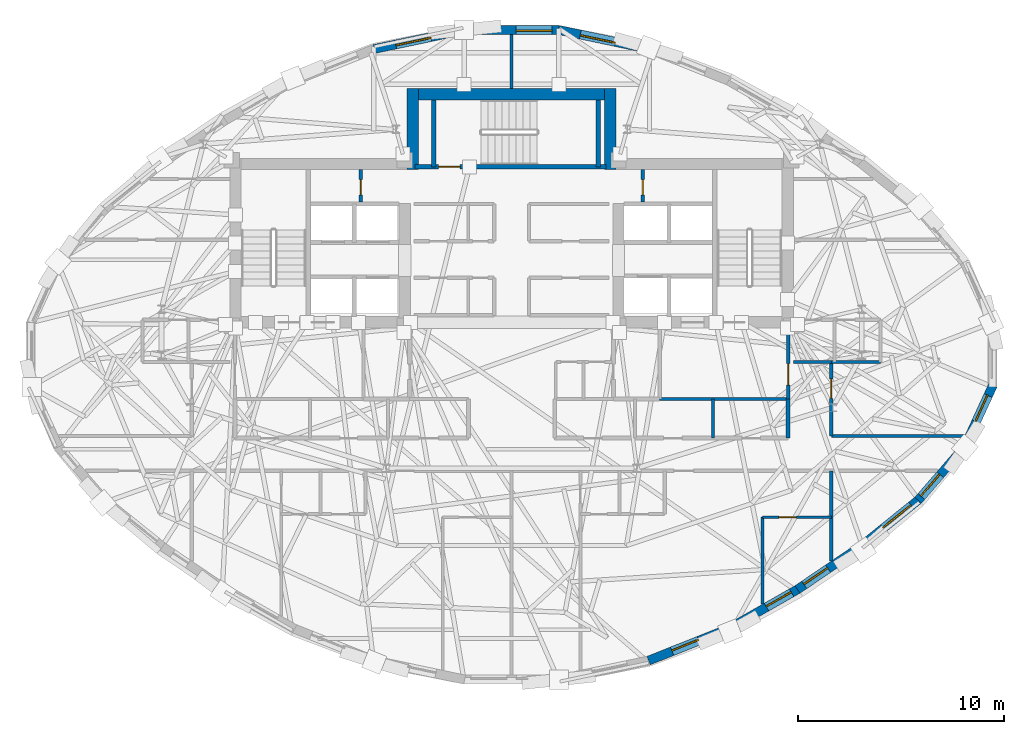
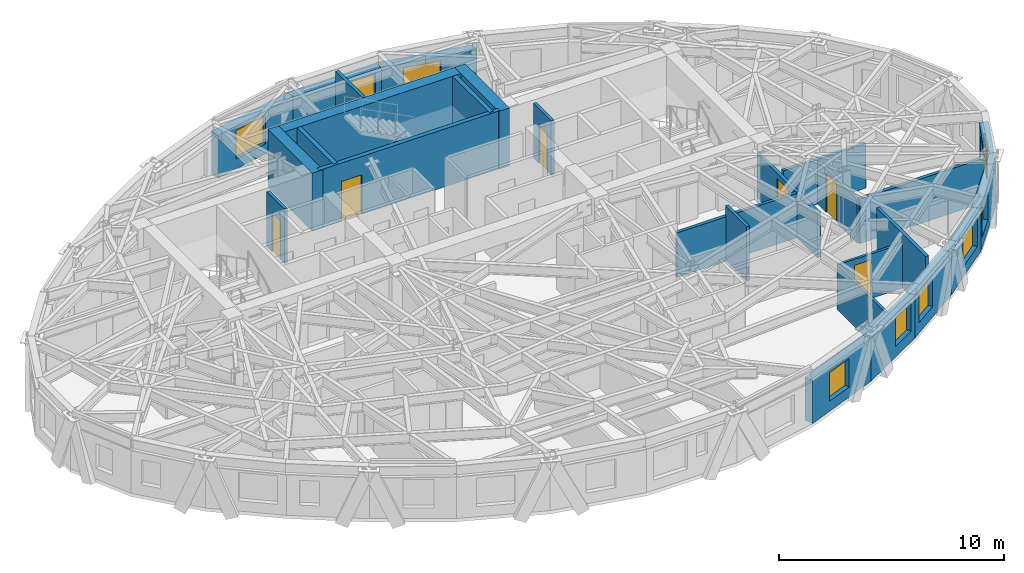
# One storey, part 9 of 14: 29 walls, 9 windows, 6 doors, 15 openings.
"""IFC4 building model written with IfcOpenShell, lengths in metres."""

from ifc_helpers import new_model, si_unit, direction, frame, frame_2d, origin, place, context, subcontext, project, spatial, rectangle, extrude, material, layer, layer_set, type_object, element, fill, save


model = new_model("IFC4")

# Units and contexts
model_context = context("Model", 3, precision=1e-05, world=origin(), true_north=direction((0.0, 1.0)))
body_context = subcontext(model_context, "Body", "Model", "MODEL_VIEW")
ifc_project = project(units=[si_unit("LENGTHUNIT", "METRE"), si_unit("AREAUNIT", "SQUARE_METRE"), si_unit("VOLUMEUNIT", "CUBIC_METRE"), si_unit("PLANEANGLEUNIT", "RADIAN"), si_unit("MASSUNIT", "GRAM", prefix="KILO")], contexts=[model_context])

# Site, building, storey
site_placement = place(None, origin())
site = spatial("IfcSite", under=ifc_project, at=site_placement, CompositionType="ELEMENT")
building_placement = place(site_placement, origin())
building = spatial("IfcBuilding", under=site, at=building_placement, Name="Keldmark Tower", CompositionType="ELEMENT")
storey_placement = place(building_placement, frame((0.0, 0.0, 213.14990234375)))
storey = spatial("IfcBuildingStorey", under=building, at=storey_placement, Name="L59", CompositionType="ELEMENT", Elevation=213.14990234375)

# Walls
ifc_material_1 = material(Name="Heavy Acoustic Plumbing Chase Gypsum Assembly", Category="gypsum")
ifc_layer_1 = layer(ifc_material_1, 0.18994140625)
ifc_layer_set_1 = layer_set([ifc_layer_1], Name="Heavy Acoustic Plumbing Chase Gypsum Assembly")
wall_type_1 = type_object("IfcWallType", Name="Heavy Wet Wall 190 mm", PredefinedType="PLUMBINGWALL", material=ifc_layer_set_1)
wall_1_placement = place(storey_placement, frame((13.449951171875, -4.050048828125, 0.0), z_axis=(0.0, 0.0, 1.0), x_axis=(0.0, 1.0, 0.0)))
element("IfcWall", 1, at=wall_1_placement, inside=storey, type_object=wall_type_1, Name="L59 Heavy Wet Wall 190 mm SPK-E-E", PredefinedType="PLUMBINGWALL", context=body_context, shape_type="SweptSolid", body=[
    extrude(rectangle(XDim=1.900146484375, YDim=0.18994140625, at=frame_2d((0.9501953125, 0.0))), origin(), (0.0, 0.0, 1.0), 2.423095703125),
])
ifc_material_2 = material(Name="Concrete C50/60", Category="concrete")
ifc_layer_2 = layer(ifc_material_2, 0.550048828125)
ifc_layer_set_2 = layer_set([ifc_layer_2], Name="Concrete C50/60")
wall_type_2 = type_object("IfcWallType", Name="High-Rise Core Shear Wall 550 mm", PredefinedType="SHEAR", material=ifc_layer_set_2)
wall_2_placement = place(storey_placement, frame((-5.074951171875, 12.675048828125, 0.0), z_axis=(0.0, 0.0, 1.0), x_axis=(1.0, 0.0, 0.0)))
element("IfcWall", 2, at=wall_2_placement, inside=storey, type_object=wall_type_2, Name="L59 North Core Shear Wall", PredefinedType="SHEAR", context=body_context, shape_type="SweptSolid", body=[
    extrude(rectangle(XDim=10.14990234375, YDim=0.550048828125, at=frame_2d((5.074951171875, 0.0))), origin(), (0.0, 0.0, 1.0), 3.150146484375),
])
for number, where, z_axis, x_axis, name in (
    (3, (-4.800048828125, 9.0, 0.0), (0.0, 0.0, 1.0), (0.0, 1.0, 0.0), "L59 North Core West Shear Wall"),
    (4, (4.800048828125, 9.0, 0.0), (0.0, 0.0, 1.0), (0.0, 1.0, 0.0), "L59 North Core East Shear Wall"),
):
    element("IfcWall", number, at=place(storey_placement, frame(where, z_axis=z_axis, x_axis=x_axis)), inside=storey, type_object=wall_type_2, Name=name, PredefinedType="SHEAR", context=body_context, shape_type="SweptSolid", body=[
        extrude(rectangle(XDim=3.949951171875, YDim=0.550048828125, at=frame_2d((1.97509765625, 0.0))), origin(), (0.0, 0.0, 1.0), 3.150146484375),
    ])
ifc_material_3 = material(Name="Acoustic Gypsum Board Interior Partition", Category="gypsum")
ifc_layer_3 = layer(ifc_material_3, 0.1298828125)
ifc_layer_set_3 = layer_set([ifc_layer_3], Name="Acoustic Gypsum Board Interior Partition")
wall_type_3 = type_object("IfcWallType", Name="Interior Partition 130 mm", PredefinedType="PARTITIONING", material=ifc_layer_set_3)
wall_3_placement = place(storey_placement, frame((12.199951171875, -12.125244140625, 0.0), z_axis=(0.0, 0.0, 1.0), x_axis=(0.0, 1.0, 0.0)))
element("IfcWall", 5, at=wall_3_placement, inside=storey, type_object=wall_type_3, Name="L59 Interior Partition 130 mm UB-BR2-W", PredefinedType="PARTITIONING", context=body_context, shape_type="SweptSolid", body=[
    extrude(rectangle(XDim=4.225341796875, YDim=0.1298828125, at=frame_2d((2.11279296875, 0.0))), origin(), (0.0, 0.0, 1.0), 2.423095703125),
])

# Wall, opening, door
wall_4_placement = place(storey_placement, frame((12.199951171875, -7.89990234375, 0.0), z_axis=(0.0, 0.0, 1.0), x_axis=(1.0, 0.0, 0.0)))
wall_4 = element("IfcWall", 6, at=wall_4_placement, inside=storey, type_object=wall_type_3, Name="L59 Interior Partition 130 mm UB-BR2-N", PredefinedType="PARTITIONING", context=body_context, shape_type="SweptSolid", body=[
    extrude(rectangle(XDim=3.35009765625, YDim=0.1298828125, at=frame_2d((1.675048828125, 0.0))), origin(), (0.0, 0.0, 1.0), 2.423095703125),
])
opening_1_placement = place(wall_4_placement, frame((0.800048828125, 0.0, 0.0)))
opening_1 = element("IfcOpeningElement", 7, at=opening_1_placement, cuts=wall_4, Name="Opening D-BR085", PredefinedType="OPENING", context=body_context, shape_type="SweptSolid", body=[
    extrude(rectangle(XDim=0.85009765625, YDim=2.10009765625, at=frame_2d((0.425048828125, 1.050048828125))), frame((0.0, 0.074951171875, 0.0), z_axis=(0.0, -1.0, 0.0), x_axis=(1.0, 0.0, 0.0)), (0.0, 0.0, 1.0), 0.14990234375),
])
ifc_material_4 = material(Name="Solid-Core Stained Walnut Wood", Category="wood")
door_type_1 = type_object("IfcDoorType", Name="Bedroom Door 850x2100", OperationType="NOTDEFINED", PredefinedType="DOOR", material=ifc_material_4)
door_1_placement = place(opening_1_placement, origin())
door_1 = element("IfcDoor", 8, at=door_1_placement, inside=storey, type_object=door_type_1, Name="L59 Bedroom Door 850x2100 D-UB-BR2-L59", OperationType="SINGLE_SWING_LEFT", OverallHeight=2.10009765625, OverallWidth=0.85009765625, PredefinedType="DOOR", context=body_context, shape_type="SweptSolid", body=[
    extrude(rectangle(XDim=0.85009765625, YDim=2.10009765625, at=frame_2d((0.425048828125, 1.050048828125))), frame((0.0, 0.02490234375, 0.0), z_axis=(0.0, -1.0, 0.0), x_axis=(1.0, 0.0, 0.0)), (0.0, 0.0, 1.0), 0.050048828125),
])
fill(opening_1, door_1)

# Wall
ifc_material_5 = material(Name="Type X Fire-Rated Gypsum Partition Assembly", Category="gypsum")
ifc_layer_4 = layer(ifc_material_5, 0.1650390625)
ifc_layer_set_4 = layer_set([ifc_layer_4], Name="Type X Fire-Rated Gypsum Partition Assembly")
wall_type_4 = type_object("IfcWallType", Name="Rated Partition 165 mm", PredefinedType="PARTITIONING", material=ifc_layer_set_4)
wall_5_placement = place(storey_placement, frame((7.199951171875, -2.14990234375, 0.0), z_axis=(0.0, 0.0, 1.0), x_axis=(1.0, 0.0, 0.0)))
element("IfcWall", 9, at=wall_5_placement, inside=storey, type_object=wall_type_4, Name="L59 Rated Partition 165 mm FSAE-E-S", PredefinedType="PARTITIONING", context=body_context, shape_type="SweptSolid", body=[
    extrude(rectangle(XDim=6.25, YDim=0.1650390625, at=frame_2d((3.125, 0.0))), origin(), (0.0, 0.0, 1.0), 2.423095703125),
])

# Wall, opening, door
wall_6_placement = place(storey_placement, frame((13.449951171875, -2.14990234375, 0.0), z_axis=(0.0, 0.0, 1.0), x_axis=(0.0, 1.0, 0.0)))
wall_6 = element("IfcWall", 10, at=wall_6_placement, inside=storey, type_object=wall_type_4, Name="L59 Rated Partition 165 mm FSAE-E-E", PredefinedType="PARTITIONING", context=body_context, shape_type="SweptSolid", body=[
    extrude(rectangle(XDim=3.5, YDim=0.1650390625, at=frame_2d((1.75, 0.0))), origin(), (0.0, 0.0, 1.0), 2.423095703125),
])
opening_2_placement = place(wall_6_placement, frame((0.669921875, 0.0, 0.0)))
opening_2 = element("IfcOpeningElement", 11, at=opening_2_placement, cuts=wall_6, Name="Opening D-FL105", PredefinedType="OPENING", context=body_context, shape_type="SweptSolid", body=[
    extrude(rectangle(XDim=1.050048828125, YDim=2.14990234375, at=frame_2d((0.52490234375, 1.074951171875))), frame((0.0, 0.092529296875, 0.0), z_axis=(0.0, -1.0, 0.0), x_axis=(1.0, 0.0, 0.0)), (0.0, 0.0, 1.0), 0.18505859375),
])
ifc_material_6 = material(Name="Fire-Rated Mineral-Core Door and Vision Lite", Category="metal")
door_type_2 = type_object("IfcDoorType", Name="Fire Lobby Door 1050x2150", OperationType="NOTDEFINED", PredefinedType="DOOR", material=ifc_material_6)
door_2_placement = place(opening_2_placement, origin())
door_2 = element("IfcDoor", 12, at=door_2_placement, inside=storey, type_object=door_type_2, Name="L59 Fire Lobby Door 1050x2150 D-FSAEE-OUT-L59", OperationType="SINGLE_SWING_RIGHT", OverallHeight=2.14990234375, OverallWidth=1.050048828125, PredefinedType="DOOR", context=body_context, shape_type="SweptSolid", body=[
    extrude(rectangle(XDim=1.050048828125, YDim=2.14990234375, at=frame_2d((0.52490234375, 1.074951171875))), frame((0.0, 0.02490234375, 0.0), z_axis=(0.0, -1.0, 0.0), x_axis=(1.0, 0.0, 0.0)), (0.0, 0.0, 1.0), 0.050048828125),
])
fill(opening_2, door_2)

wall_7_placement = place(storey_placement, frame((-7.330078125, 7.419921875, 0.0), z_axis=(0.0, 0.0, 1.0), x_axis=(0.0, 1.0, 0.0)))
wall_7 = element("IfcWall", 13, at=wall_7_placement, inside=storey, type_object=wall_type_4, Name="L59 Rated Partition 165 mm CS-NW-E", PredefinedType="PARTITIONING", context=body_context, shape_type="SweptSolid", body=[
    extrude(rectangle(XDim=1.580078125, YDim=0.1650390625, at=frame_2d((0.7900390625, 0.0))), origin(), (0.0, 0.0, 1.0), 2.97021484375),
])
opening_3_placement = place(wall_7_placement, frame((0.35009765625, 0.0, 0.0)))
opening_3 = element("IfcOpeningElement", 14, at=opening_3_placement, cuts=wall_7, Name="Opening D-RS075", PredefinedType="OPENING", context=body_context, shape_type="SweptSolid", body=[
    extrude(rectangle(XDim=0.75, YDim=2.10009765625, at=frame_2d((0.375, 1.050048828125))), frame((0.0, 0.092529296875, 0.0), z_axis=(0.0, -1.0, 0.0), x_axis=(1.0, 0.0, 0.0)), (0.0, 0.0, 1.0), 0.18505859375),
])
ifc_material_7 = material(Name="Galvanized Fire-Rated Access Leaf", Category="metal")
door_type_3 = type_object("IfcDoorType", Name="Riser Access Door 750x2100", OperationType="NOTDEFINED", PredefinedType="DOOR", material=ifc_material_7)
door_3_placement = place(opening_3_placement, origin())
door_3 = element("IfcDoor", 15, at=door_3_placement, inside=storey, type_object=door_type_3, Name="L59 Riser Access Door 750x2100 D-CSNW1-L59", OperationType="SINGLE_SWING_RIGHT", OverallHeight=2.10009765625, OverallWidth=0.75, PredefinedType="DOOR", context=body_context, shape_type="SweptSolid", body=[
    extrude(rectangle(XDim=0.75, YDim=2.10009765625, at=frame_2d((0.375, 1.050048828125))), frame((0.0, 0.02490234375, 0.0), z_axis=(0.0, -1.0, 0.0), x_axis=(1.0, 0.0, 0.0)), (0.0, 0.0, 1.0), 0.050048828125),
])
fill(opening_3, door_3)

wall_8_placement = place(storey_placement, frame((6.3798828125, 7.419921875, 0.0), z_axis=(0.0, 0.0, 1.0), x_axis=(0.0, 1.0, 0.0)))
wall_8 = element("IfcWall", 16, at=wall_8_placement, inside=storey, type_object=wall_type_4, Name="L59 Rated Partition 165 mm CS-NE-W", PredefinedType="PARTITIONING", context=body_context, shape_type="SweptSolid", body=[
    extrude(rectangle(XDim=1.580078125, YDim=0.1650390625, at=frame_2d((0.7900390625, 0.0))), origin(), (0.0, 0.0, 1.0), 2.97021484375),
])
opening_4_placement = place(wall_8_placement, frame((0.35009765625, 0.0, 0.0)))
opening_4 = element("IfcOpeningElement", 17, at=opening_4_placement, cuts=wall_8, Name="Opening D-RS075", PredefinedType="OPENING", context=body_context, shape_type="SweptSolid", body=[
    extrude(rectangle(XDim=0.75, YDim=2.10009765625, at=frame_2d((0.375, 1.050048828125))), frame((0.0, 0.092529296875, 0.0), z_axis=(0.0, -1.0, 0.0), x_axis=(1.0, 0.0, 0.0)), (0.0, 0.0, 1.0), 0.18505859375),
])
door_4_placement = place(opening_4_placement, origin())
door_4 = element("IfcDoor", 18, at=door_4_placement, inside=storey, type_object=door_type_3, Name="L59 Riser Access Door 750x2100 D-CSNE1-L59", OperationType="SINGLE_SWING_LEFT", OverallHeight=2.10009765625, OverallWidth=0.75, PredefinedType="DOOR", context=body_context, shape_type="SweptSolid", body=[
    extrude(rectangle(XDim=0.75, YDim=2.10009765625, at=frame_2d((0.375, 1.050048828125))), frame((0.0, 0.02490234375, 0.0), z_axis=(0.0, -1.0, 0.0), x_axis=(1.0, 0.0, 0.0)), (0.0, 0.0, 1.0), 0.050048828125),
])
fill(opening_4, door_4)

# Wall
wall_9_placement = place(storey_placement, frame((15.550048828125, -3.949951171875, 0.0), z_axis=(0.0, 0.0, 1.0), x_axis=(1.0, 0.0, 0.0)))
element("IfcWall", 19, at=wall_9_placement, inside=storey, type_object=wall_type_4, Name="L59 Rated Partition 165 mm RCOR-EN-OUT", PredefinedType="PARTITIONING", context=body_context, shape_type="SweptSolid", body=[
    extrude(rectangle(XDim=6.476318359375, YDim=0.1650390625, at=frame_2d((3.23828125, 0.0))), origin(), (0.0, 0.0, 1.0), 2.423095703125),
])

# Wall, opening, door
wall_10_placement = place(storey_placement, frame((15.550048828125, -3.949951171875, 0.0), z_axis=(0.0, 0.0, 1.0), x_axis=(0.0, 1.0, 0.0)))
wall_10 = element("IfcWall", 20, at=wall_10_placement, inside=storey, type_object=wall_type_4, Name="L59 Rated Partition 165 mm RCOR-VE", PredefinedType="PARTITIONING", context=body_context, shape_type="SweptSolid", body=[
    extrude(rectangle(XDim=3.599853515625, YDim=0.1650390625, at=frame_2d((1.7998046875, 0.0))), origin(), (0.0, 0.0, 1.0), 2.357177734375),
])
opening_5_placement = place(wall_10_placement, frame((1.830078125, 0.0, 0.0)))
opening_5 = element("IfcOpeningElement", 21, at=opening_5_placement, cuts=wall_10, Name="Opening D-AP095", PredefinedType="OPENING", context=body_context, shape_type="SweptSolid", body=[
    extrude(rectangle(XDim=0.949951171875, YDim=2.14990234375, at=frame_2d((0.47509765625, 1.074951171875))), frame((0.0, 0.092529296875, 0.0), z_axis=(0.0, -1.0, 0.0), x_axis=(1.0, 0.0, 0.0)), (0.0, 0.0, 1.0), 0.18505859375),
])
ifc_material_8 = material(Name="Solid-Core Walnut Fire-Rated Entry Assembly", Category="wood")
door_type_4 = type_object("IfcDoorType", Name="Apartment Entry Door 950x2150", OperationType="NOTDEFINED", PredefinedType="DOOR", material=ifc_material_8)
door_5_placement = place(opening_5_placement, origin())
door_5 = element("IfcDoor", 22, at=door_5_placement, inside=storey, type_object=door_type_4, Name="L59 Apartment Entry Door 950x2150 D-UD-ENT-L59", OperationType="SINGLE_SWING_RIGHT", OverallHeight=2.14990234375, OverallWidth=0.949951171875, PredefinedType="DOOR", context=body_context, shape_type="SweptSolid", body=[
    extrude(rectangle(XDim=0.949951171875, YDim=2.14990234375, at=frame_2d((0.47509765625, 1.074951171875))), frame((0.0, 0.02490234375, 0.0), z_axis=(0.0, -1.0, 0.0), x_axis=(1.0, 0.0, 0.0)), (0.0, 0.0, 1.0), 0.050048828125),
])
fill(opening_5, door_5)

# Walls
wall_11_placement = place(storey_placement, frame((13.699951171875, -0.35009765625, 0.0), z_axis=(0.0, 0.0, 1.0), x_axis=(1.0, 0.0, 0.0)))
element("IfcWall", 23, at=wall_11_placement, inside=storey, type_object=wall_type_4, Name="L59 Rated Partition 165 mm RCOR-VEN", PredefinedType="PARTITIONING", context=body_context, shape_type="SweptSolid", body=[
    extrude(rectangle(XDim=1.85009765625, YDim=0.1650390625, at=frame_2d((0.925048828125, 0.0))), origin(), (0.0, 0.0, 1.0), 2.423095703125),
])
wall_12_placement = place(storey_placement, frame((0.0, 12.949951171875, 0.0), z_axis=(0.0, 0.0, 1.0), x_axis=(0.0, 1.0, 0.0)))
element("IfcWall", 24, at=wall_12_placement, inside=storey, type_object=wall_type_4, Name="L59 Rated Partition 165 mm RN-DIV", PredefinedType="PARTITIONING", context=body_context, shape_type="SweptSolid", body=[
    extrude(rectangle(XDim=2.61474609375, YDim=0.1650390625, at=frame_2d((1.307373046875, 0.0))), origin(), (0.0, 0.0, 1.0), 2.97021484375),
])
wall_13_placement = place(storey_placement, frame((15.550048828125, -10.023681640625, 0.0), z_axis=(0.0, 0.0, 1.0), x_axis=(0.0, 1.0, 0.0)))
element("IfcWall", 25, at=wall_13_placement, inside=storey, type_object=wall_type_4, Name="L59 Rated Partition 165 mm RS-ECAP", PredefinedType="PARTITIONING", context=body_context, shape_type="SweptSolid", body=[
    extrude(rectangle(XDim=4.373779296875, YDim=0.1650390625, at=frame_2d((2.18701171875, 0.0))), origin(), (0.0, 0.0, 1.0), 2.97021484375),
])

# Wall, opening, door
ifc_material_9 = material(Name="Concrete C50/60", Category="concrete")
ifc_layer_5 = layer(ifc_material_9, 0.219970703125)
ifc_layer_set_5 = layer_set([ifc_layer_5], Name="Concrete C50/60")
wall_type_5 = type_object("IfcWallType", Name="Stair Core Shear Wall 220 mm", PredefinedType="SHEAR", material=ifc_layer_set_5)
wall_14_placement = place(storey_placement, frame((-4.699951171875, 9.139892578125, 0.0), z_axis=(0.0, 0.0, 1.0), x_axis=(1.0, 0.0, 0.0)))
wall_14 = element("IfcWall", 26, at=wall_14_placement, inside=storey, type_object=wall_type_5, Name="L59 Central Stair Core South Shear Wall", PredefinedType="SHEAR", context=body_context, shape_type="SweptSolid", body=[
    extrude(rectangle(XDim=9.300048828125, YDim=0.219970703125, at=frame_2d((4.64990234375, 0.0))), origin(), (0.0, 0.0, 1.0), 3.150146484375),
])
opening_6_placement = place(wall_14_placement, frame((1.14990234375, 0.0, 0.0)))
opening_6 = element("IfcOpeningElement", 27, at=opening_6_placement, cuts=wall_14, Name="Opening D-ST105", PredefinedType="OPENING", context=body_context, shape_type="SweptSolid", body=[
    extrude(rectangle(XDim=1.050048828125, YDim=2.14990234375, at=frame_2d((0.52490234375, 1.074951171875))), frame((0.0, 0.119873046875, 0.0), z_axis=(0.0, -1.0, 0.0), x_axis=(1.0, 0.0, 0.0)), (0.0, 0.0, 1.0), 0.239990234375),
])
ifc_material_10 = material(Name="Hollow Metal Fire-Rated Door Assembly", Category="metal")
door_type_5 = type_object("IfcDoorType", Name="Stair Fire Door 1050x2150", OperationType="NOTDEFINED", PredefinedType="DOOR", material=ifc_material_10)
door_6_placement = place(opening_6_placement, origin())
door_6 = element("IfcDoor", 28, at=door_6_placement, inside=storey, type_object=door_type_5, Name="L59 Stair Fire Door 1050x2150 D-ST3-L59", OperationType="SINGLE_SWING_LEFT", OverallHeight=2.14990234375, OverallWidth=1.050048828125, PredefinedType="DOOR", context=body_context, shape_type="SweptSolid", body=[
    extrude(rectangle(XDim=1.050048828125, YDim=2.14990234375, at=frame_2d((0.52490234375, 1.074951171875))), frame((0.0, 0.02490234375, 0.0), z_axis=(0.0, -1.0, 0.0), x_axis=(1.0, 0.0, 0.0)), (0.0, 0.0, 1.0), 0.050048828125),
])
fill(opening_6, door_6)

# Walls
for number, where, z_axis, x_axis, name in (
    (29, (-3.784912109375, 9.139892578125, 0.0), (0.0, 0.0, 1.0), (0.0, 1.0, 0.0), "L59 Central Stair Core West Shear Wall"),
    (30, (4.215087890625, 9.139892578125, 0.0), (0.0, 0.0, 1.0), (0.0, 1.0, 0.0), "L59 Central Stair Core East Shear Wall"),
):
    element("IfcWall", number, at=place(storey_placement, frame(where, z_axis=z_axis, x_axis=x_axis)), inside=storey, type_object=wall_type_5, Name=name, PredefinedType="SHEAR", context=body_context, shape_type="SweptSolid", body=[
        extrude(rectangle(XDim=3.260009765625, YDim=0.219970703125, at=frame_2d((1.6298828125, 0.0))), origin(), (0.0, 0.0, 1.0), 3.150146484375),
    ])

# Wall, opening, window
ifc_material_11 = material(Name="Ironspot Manganese Brick and Kasota Buff Limestone Spandrel Assembly", Category="masonry")
ifc_layer_6 = layer(ifc_material_11, 0.43994140625)
ifc_layer_set_6 = layer_set([ifc_layer_6], Name="Ironspot Manganese Brick and Kasota Buff Limestone Spandrel Assembly")
wall_type_6 = type_object("IfcWallType", Name="Tower Brick Pier and Spandrel Wall 440 mm", PredefinedType="STANDARD", material=ifc_layer_set_6)
wall_15_placement = place(storey_placement, frame((2.27978515625, 15.797607421875, 0.0), z_axis=(0.0, 0.0, 1.0), x_axis=(0.97840271225, -0.206707843737, 0.0)))
wall_15 = element("IfcWall", 31, at=wall_15_placement, inside=storey, type_object=wall_type_6, Name="L59 Exterior Brick and Spandrel Wall 07", PredefinedType="STANDARD", context=body_context, shape_type="SweptSolid", body=[
    extrude(rectangle(XDim=4.5166015625, YDim=0.43994140625, at=frame_2d((2.25830078125, 0.0))), origin(), (0.0, 0.0, 1.0), 2.336181640625),
])
opening_7_placement = place(wall_15_placement, frame((1.08740234375, 0.0, 0.550048828125)))
opening_7 = element("IfcOpeningElement", 32, at=opening_7_placement, cuts=wall_15, Name="Opening W-05", PredefinedType="OPENING", context=body_context, shape_type="SweptSolid", body=[
    extrude(rectangle(XDim=1.75, YDim=1.550048828125, at=frame_2d((0.875, 0.77490234375))), frame((0.0, 0.22998046875, 0.0), z_axis=(0.0, -1.0, 0.0), x_axis=(1.0, 0.0, 0.0)), (0.0, 0.0, 1.0), 0.4599609375),
])
ifc_material_12 = material(Name="Thermally Broken Anodized Aluminum and Triple Low-E Argon Glazing", Category="aluminium")
window_type_1 = type_object("IfcWindowType", Name="Residential Deep-Set Window 1750x1550", PartitioningType="DOUBLE_PANEL_VERTICAL", PredefinedType="WINDOW", material=ifc_material_12)
window_1_placement = place(opening_7_placement, origin())
window_1 = element("IfcWindow", 33, at=window_1_placement, inside=storey, type_object=window_type_1, Name="L59 Deep-Set Window 07", OverallHeight=1.550048828125, OverallWidth=1.75, PartitioningType="SINGLE_PANEL", PredefinedType="WINDOW", context=body_context, shape_type="SweptSolid", body=[
    extrude(rectangle(XDim=1.75, YDim=1.550048828125, at=frame_2d((0.875, 0.77490234375))), frame((0.0, -0.010009765625, 0.0), z_axis=(0.0, -1.0, 0.0), x_axis=(1.0, 0.0, 0.0)), (0.0, 0.0, 1.0), 0.06005859375),
])
fill(opening_7, window_1)

wall_16_placement = place(storey_placement, frame((-2.3251953125, 15.792724609375, 0.0), z_axis=(0.0, 0.0, 1.0), x_axis=(1.0, 0.0, 0.0)))
wall_16 = element("IfcWall", 34, at=wall_16_placement, inside=storey, type_object=wall_type_6, Name="L59 Exterior Brick and Spandrel Wall 08", PredefinedType="STANDARD", context=body_context, shape_type="SweptSolid", body=[
    extrude(rectangle(XDim=4.650390625, YDim=0.43994140625, at=frame_2d((2.3251953125, 0.0))), origin(), (0.0, 0.0, 1.0), 2.336181640625),
])
opening_8_placement = place(wall_16_placement, frame((2.553466796875, 0.0, 0.550048828125)))
opening_8 = element("IfcOpeningElement", 35, at=opening_8_placement, cuts=wall_16, Name="Opening W-05", PredefinedType="OPENING", context=body_context, shape_type="SweptSolid", body=[
    extrude(rectangle(XDim=1.75, YDim=1.550048828125, at=frame_2d((0.875, 0.77490234375))), frame((0.0, 0.22998046875, 0.0), z_axis=(0.0, -1.0, 0.0), x_axis=(1.0, 0.0, 0.0)), (0.0, 0.0, 1.0), 0.4599609375),
])
window_2_placement = place(opening_8_placement, origin())
window_2 = element("IfcWindow", 36, at=window_2_placement, inside=storey, type_object=window_type_1, Name="L59 Deep-Set Window 08", OverallHeight=1.550048828125, OverallWidth=1.75, PartitioningType="SINGLE_PANEL", PredefinedType="WINDOW", context=body_context, shape_type="SweptSolid", body=[
    extrude(rectangle(XDim=1.75, YDim=1.550048828125, at=frame_2d((0.875, 0.77490234375))), frame((0.0, -0.010009765625, 0.0), z_axis=(0.0, -1.0, 0.0), x_axis=(1.0, 0.0, 0.0)), (0.0, 0.0, 1.0), 0.06005859375),
])
fill(opening_8, window_2)

wall_17_placement = place(storey_placement, frame((-6.69873046875, 14.864013671875, 0.0), z_axis=(0.0, 0.0, 1.0), x_axis=(0.97840271225, 0.206707843737, 0.0)))
wall_17 = element("IfcWall", 37, at=wall_17_placement, inside=storey, type_object=wall_type_6, Name="L59 Exterior Brick and Spandrel Wall 09", PredefinedType="STANDARD", context=body_context, shape_type="SweptSolid", body=[
    extrude(rectangle(XDim=4.5166015625, YDim=0.43994140625, at=frame_2d((2.25830078125, 0.0))), origin(), (0.0, 0.0, 1.0), 2.336181640625),
])
opening_9_placement = place(wall_17_placement, frame((1.08740234375, 0.0, 0.550048828125)))
opening_9 = element("IfcOpeningElement", 38, at=opening_9_placement, cuts=wall_17, Name="Opening W-05", PredefinedType="OPENING", context=body_context, shape_type="SweptSolid", body=[
    extrude(rectangle(XDim=1.75, YDim=1.550048828125, at=frame_2d((0.875, 0.77490234375))), frame((0.0, 0.22998046875, 0.0), z_axis=(0.0, -1.0, 0.0), x_axis=(1.0, 0.0, 0.0)), (0.0, 0.0, 1.0), 0.4599609375),
])
window_3_placement = place(opening_9_placement, origin())
window_3 = element("IfcWindow", 39, at=window_3_placement, inside=storey, type_object=window_type_1, Name="L59 Deep-Set Window 09", OverallHeight=1.550048828125, OverallWidth=1.75, PartitioningType="SINGLE_PANEL", PredefinedType="WINDOW", context=body_context, shape_type="SweptSolid", body=[
    extrude(rectangle(XDim=1.75, YDim=1.550048828125, at=frame_2d((0.875, 0.77490234375))), frame((0.0, -0.010009765625, 0.0), z_axis=(0.0, -1.0, 0.0), x_axis=(1.0, 0.0, 0.0)), (0.0, 0.0, 1.0), 0.06005859375),
])
fill(opening_9, window_3)

wall_18_placement = place(storey_placement, frame((10.57568359375, -13.318115234375, 0.0), z_axis=(0.0, 0.0, 1.0), x_axis=(-0.929170765931, -0.369650764558, 0.0)))
wall_18 = element("IfcWall", 40, at=wall_18_placement, inside=storey, type_object=wall_type_6, Name="L59 Exterior Brick and Spandrel Wall 26", PredefinedType="STANDARD", context=body_context, shape_type="SweptSolid", body=[
    extrude(rectangle(XDim=4.211181640625, YDim=0.43994140625, at=frame_2d((2.10546875, 0.0))), origin(), (0.0, 0.0, 1.0), 2.336181640625),
])
opening_10_placement = place(wall_18_placement, frame((1.57763671875, 0.0, 0.550048828125)))
opening_10 = element("IfcOpeningElement", 41, at=opening_10_placement, cuts=wall_18, Name="Opening W-08", PredefinedType="OPENING", context=body_context, shape_type="SweptSolid", body=[
    extrude(rectangle(XDim=1.39990234375, YDim=1.550048828125, at=frame_2d((0.699951171875, 0.77490234375))), frame((0.0, 0.22998046875, 0.0), z_axis=(0.0, -1.0, 0.0), x_axis=(1.0, 0.0, 0.0)), (0.0, 0.0, 1.0), 0.4599609375),
])
ifc_material_13 = material(Name="Thermally Broken Anodized Aluminum and Triple Low-E Argon Glazing", Category="aluminium")
window_type_2 = type_object("IfcWindowType", Name="Residential Corner Punched Window 1400x1550", PartitioningType="SINGLE_PANEL", PredefinedType="WINDOW", material=ifc_material_13)
window_4_placement = place(opening_10_placement, origin())
window_4 = element("IfcWindow", 42, at=window_4_placement, inside=storey, type_object=window_type_2, Name="L59 Deep-Set Window 26", OverallHeight=1.550048828125, OverallWidth=1.39990234375, PartitioningType="SINGLE_PANEL", PredefinedType="WINDOW", context=body_context, shape_type="SweptSolid", body=[
    extrude(rectangle(XDim=1.39990234375, YDim=1.550048828125, at=frame_2d((0.699951171875, 0.77490234375))), frame((0.0, -0.010009765625, 0.0), z_axis=(0.0, -1.0, 0.0), x_axis=(1.0, 0.0, 0.0)), (0.0, 0.0, 1.0), 0.06005859375),
])
fill(opening_10, window_4)

wall_19_placement = place(storey_placement, frame((13.921630859375, -11.404541015625, 0.0), z_axis=(0.0, 0.0, 1.0), x_axis=(-0.868339797426, -0.495969753317, 0.0)))
wall_19 = element("IfcWall", 43, at=wall_19_placement, inside=storey, type_object=wall_type_6, Name="L59 Exterior Brick and Spandrel Wall 27", PredefinedType="STANDARD", context=body_context, shape_type="SweptSolid", body=[
    extrude(rectangle(XDim=3.88525390625, YDim=0.43994140625, at=frame_2d((1.942626953125, 0.0))), origin(), (0.0, 0.0, 1.0), 2.336181640625),
])
opening_11_placement = place(wall_19_placement, frame((0.34912109375, 0.0, 0.580078125)))
opening_11 = element("IfcOpeningElement", 44, at=opening_11_placement, cuts=wall_19, Name="Opening W-08", PredefinedType="OPENING", context=body_context, shape_type="SweptSolid", body=[
    extrude(rectangle(XDim=1.39990234375, YDim=1.550048828125, at=frame_2d((0.699951171875, 0.77490234375))), frame((0.0, 0.22998046875, 0.0), z_axis=(0.0, -1.0, 0.0), x_axis=(1.0, 0.0, 0.0)), (0.0, 0.0, 1.0), 0.4599609375),
])
window_5_placement = place(opening_11_placement, origin())
window_5 = element("IfcWindow", 45, at=window_5_placement, inside=storey, type_object=window_type_2, Name="L59 Deep-Set Window 27", OverallHeight=1.550048828125, OverallWidth=1.39990234375, PartitioningType="SINGLE_PANEL", PredefinedType="WINDOW", context=body_context, shape_type="SweptSolid", body=[
    extrude(rectangle(XDim=1.39990234375, YDim=1.550048828125, at=frame_2d((0.699951171875, 0.77490234375))), frame((0.0, -0.010009765625, 0.0), z_axis=(0.0, -1.0, 0.0), x_axis=(1.0, 0.0, 0.0)), (0.0, 0.0, 1.0), 0.06005859375),
])
fill(opening_11, window_5)

wall_20_placement = place(storey_placement, frame((16.972900390625, -9.333984375, 0.0), z_axis=(0.0, 0.0, 1.0), x_axis=(-0.827592777121, -0.561328954586, 0.0)))
wall_20 = element("IfcWall", 46, at=wall_20_placement, inside=storey, type_object=wall_type_6, Name="L59 Exterior Brick and Spandrel Wall 28", PredefinedType="STANDARD", context=body_context, shape_type="SweptSolid", body=[
    extrude(rectangle(XDim=3.704345703125, YDim=0.43994140625, at=frame_2d((1.85205078125, 0.0))), origin(), (0.0, 0.0, 1.0), 2.336181640625),
])
opening_12_placement = place(wall_20_placement, frame((1.908935546875, 0.0, 0.580078125)))
opening_12 = element("IfcOpeningElement", 47, at=opening_12_placement, cuts=wall_20, Name="Opening W-08", PredefinedType="OPENING", context=body_context, shape_type="SweptSolid", body=[
    extrude(rectangle(XDim=1.39990234375, YDim=1.550048828125, at=frame_2d((0.699951171875, 0.77490234375))), frame((0.0, 0.22998046875, 0.0), z_axis=(0.0, -1.0, 0.0), x_axis=(1.0, 0.0, 0.0)), (0.0, 0.0, 1.0), 0.4599609375),
])
window_6_placement = place(opening_12_placement, origin())
window_6 = element("IfcWindow", 48, at=window_6_placement, inside=storey, type_object=window_type_2, Name="L59 Deep-Set Window 28", OverallHeight=1.550048828125, OverallWidth=1.39990234375, PartitioningType="SINGLE_PANEL", PredefinedType="WINDOW", context=body_context, shape_type="SweptSolid", body=[
    extrude(rectangle(XDim=1.39990234375, YDim=1.550048828125, at=frame_2d((0.699951171875, 0.77490234375))), frame((0.0, -0.010009765625, 0.0), z_axis=(0.0, -1.0, 0.0), x_axis=(1.0, 0.0, 0.0)), (0.0, 0.0, 1.0), 0.06005859375),
])
fill(opening_12, window_6)

wall_21_placement = place(storey_placement, frame((19.799560546875, -7.056640625, 0.0), z_axis=(0.0, 0.0, 1.0), x_axis=(-0.778794775864, -0.627278803314, 0.0)))
wall_21 = element("IfcWall", 49, at=wall_21_placement, inside=storey, type_object=wall_type_6, Name="L59 Exterior Brick and Spandrel Wall 29", PredefinedType="STANDARD", context=body_context, shape_type="SweptSolid", body=[
    extrude(rectangle(XDim=3.64794921875, YDim=0.43994140625, at=frame_2d((1.823974609375, 0.0))), origin(), (0.0, 0.0, 1.0), 2.336181640625),
])
opening_13_placement = place(wall_21_placement, frame((0.44970703125, 0.0, 0.550048828125)))
opening_13 = element("IfcOpeningElement", 50, at=opening_13_placement, cuts=wall_21, Name="Opening W-05", PredefinedType="OPENING", context=body_context, shape_type="SweptSolid", body=[
    extrude(rectangle(XDim=1.75, YDim=1.550048828125, at=frame_2d((0.875, 0.77490234375))), frame((0.0, 0.22998046875, 0.0), z_axis=(0.0, -1.0, 0.0), x_axis=(1.0, 0.0, 0.0)), (0.0, 0.0, 1.0), 0.4599609375),
])
window_7_placement = place(opening_13_placement, origin())
window_7 = element("IfcWindow", 51, at=window_7_placement, inside=storey, type_object=window_type_1, Name="L59 Deep-Set Window 29", OverallHeight=1.550048828125, OverallWidth=1.75, PartitioningType="SINGLE_PANEL", PredefinedType="WINDOW", context=body_context, shape_type="SweptSolid", body=[
    extrude(rectangle(XDim=1.75, YDim=1.550048828125, at=frame_2d((0.875, 0.77490234375))), frame((0.0, -0.010009765625, 0.0), z_axis=(0.0, -1.0, 0.0), x_axis=(1.0, 0.0, 0.0)), (0.0, 0.0, 1.0), 0.06005859375),
])
fill(opening_13, window_7)

wall_22_placement = place(storey_placement, frame((22.066162109375, -4.430419921875, 0.0), z_axis=(0.0, 0.0, 1.0), x_axis=(-0.654143325051, -0.75637061702, 0.0)))
wall_22 = element("IfcWall", 52, at=wall_22_placement, inside=storey, type_object=wall_type_6, Name="L59 Exterior Brick and Spandrel Wall 30", PredefinedType="STANDARD", context=body_context, shape_type="SweptSolid", body=[
    extrude(rectangle(XDim=3.50830078125, YDim=0.43994140625, at=frame_2d((1.754150390625, 0.0))), origin(), (0.0, 0.0, 1.0), 2.336181640625),
])
opening_14_placement = place(wall_22_placement, frame((1.859619140625, 0.0, 0.580078125)))
opening_14 = element("IfcOpeningElement", 53, at=opening_14_placement, cuts=wall_22, Name="Opening W-08", PredefinedType="OPENING", context=body_context, shape_type="SweptSolid", body=[
    extrude(rectangle(XDim=1.39990234375, YDim=1.550048828125, at=frame_2d((0.699951171875, 0.77490234375))), frame((0.0, 0.22998046875, 0.0), z_axis=(0.0, -1.0, 0.0), x_axis=(1.0, 0.0, 0.0)), (0.0, 0.0, 1.0), 0.4599609375),
])
window_8_placement = place(opening_14_placement, origin())
window_8 = element("IfcWindow", 54, at=window_8_placement, inside=storey, type_object=window_type_2, Name="L59 Deep-Set Window 30", OverallHeight=1.550048828125, OverallWidth=1.39990234375, PartitioningType="SINGLE_PANEL", PredefinedType="WINDOW", context=body_context, shape_type="SweptSolid", body=[
    extrude(rectangle(XDim=1.39990234375, YDim=1.550048828125, at=frame_2d((0.699951171875, 0.77490234375))), frame((0.0, -0.010009765625, 0.0), z_axis=(0.0, -1.0, 0.0), x_axis=(1.0, 0.0, 0.0)), (0.0, 0.0, 1.0), 0.06005859375),
])
fill(opening_14, window_8)

wall_23_placement = place(storey_placement, frame((23.4091796875, -1.4853515625, 0.0), z_axis=(0.0, 0.0, 1.0), x_axis=(-0.417358097416, -0.908742107818, 0.0)))
wall_23 = element("IfcWall", 55, at=wall_23_placement, inside=storey, type_object=wall_type_6, Name="L59 Exterior Brick and Spandrel Wall 31", PredefinedType="STANDARD", context=body_context, shape_type="SweptSolid", body=[
    extrude(rectangle(XDim=3.298095703125, YDim=0.43994140625, at=frame_2d((1.64892578125, 0.0))), origin(), (0.0, 0.0, 1.0), 2.336181640625),
])
opening_15_placement = place(wall_23_placement, frame((0.549560546875, 0.0, 0.550048828125)))
opening_15 = element("IfcOpeningElement", 56, at=opening_15_placement, cuts=wall_23, Name="Opening W-08", PredefinedType="OPENING", context=body_context, shape_type="SweptSolid", body=[
    extrude(rectangle(XDim=1.39990234375, YDim=1.550048828125, at=frame_2d((0.699951171875, 0.77490234375))), frame((0.0, 0.22998046875, 0.0), z_axis=(0.0, -1.0, 0.0), x_axis=(1.0, 0.0, 0.0)), (0.0, 0.0, 1.0), 0.4599609375),
])
window_9_placement = place(opening_15_placement, origin())
window_9 = element("IfcWindow", 57, at=window_9_placement, inside=storey, type_object=window_type_2, Name="L59 Deep-Set Window 31", OverallHeight=1.550048828125, OverallWidth=1.39990234375, PartitioningType="SINGLE_PANEL", PredefinedType="WINDOW", context=body_context, shape_type="SweptSolid", body=[
    extrude(rectangle(XDim=1.39990234375, YDim=1.550048828125, at=frame_2d((0.699951171875, 0.77490234375))), frame((0.0, -0.010009765625, 0.0), z_axis=(0.0, -1.0, 0.0), x_axis=(1.0, 0.0, 0.0)), (0.0, 0.0, 1.0), 0.06005859375),
])
fill(opening_15, window_9)

# Walls
ifc_material_14 = material(Name="Moisture-Resistant Gypsum Plumbing Partition", Category="gypsum")
ifc_layer_7 = layer(ifc_material_14, 0.14990234375)
ifc_layer_set_7 = layer_set([ifc_layer_7], Name="Moisture-Resistant Gypsum Plumbing Partition")
wall_type_7 = type_object("IfcWallType", Name="Wet Wall 150 mm", PredefinedType="PLUMBINGWALL", material=ifc_layer_set_7)
wall_24_placement = place(storey_placement, frame((9.800048828125, -4.050048828125, 0.0), z_axis=(0.0, 0.0, 1.0), x_axis=(0.0, 1.0, 0.0)))
element("IfcWall", 58, at=wall_24_placement, inside=storey, type_object=wall_type_7, Name="L59 Wet Wall 150 mm SPK-E-D2", PredefinedType="PLUMBINGWALL", context=body_context, shape_type="SweptSolid", body=[
    extrude(rectangle(XDim=1.900146484375, YDim=0.14990234375, at=frame_2d((0.9501953125, 0.0))), origin(), (0.0, 0.0, 1.0), 2.97021484375),
])
wall_25_placement = place(storey_placement, frame((15.550048828125, -0.35009765625, 0.0), z_axis=(0.0, 0.0, 1.0), x_axis=(1.0, 0.0, 0.0)))
element("IfcWall", 59, at=wall_25_placement, inside=storey, type_object=wall_type_7, Name="L59 Wet Wall 150 mm UD-BK-S", PredefinedType="PLUMBINGWALL", context=body_context, shape_type="SweptSolid", body=[
    extrude(rectangle(XDim=2.39990234375, YDim=0.14990234375, at=frame_2d((1.199951171875, 0.0))), origin(), (0.0, 0.0, 1.0), 2.423095703125),
])

save(model, "model.ifc")
